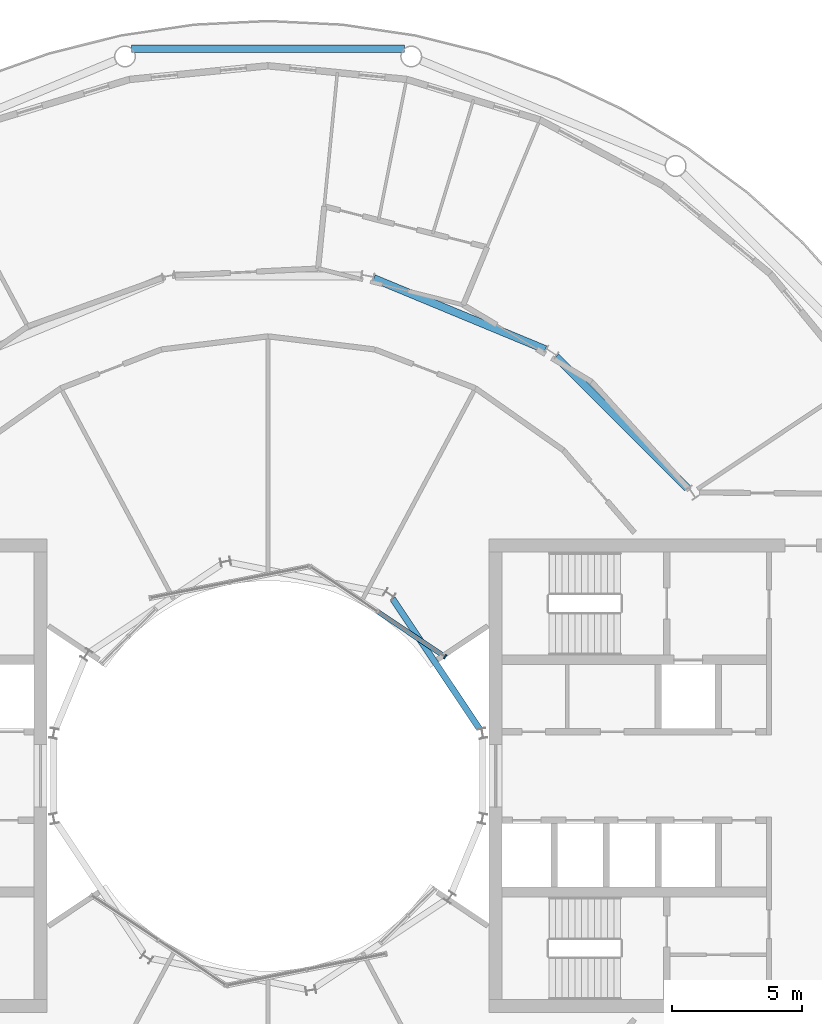
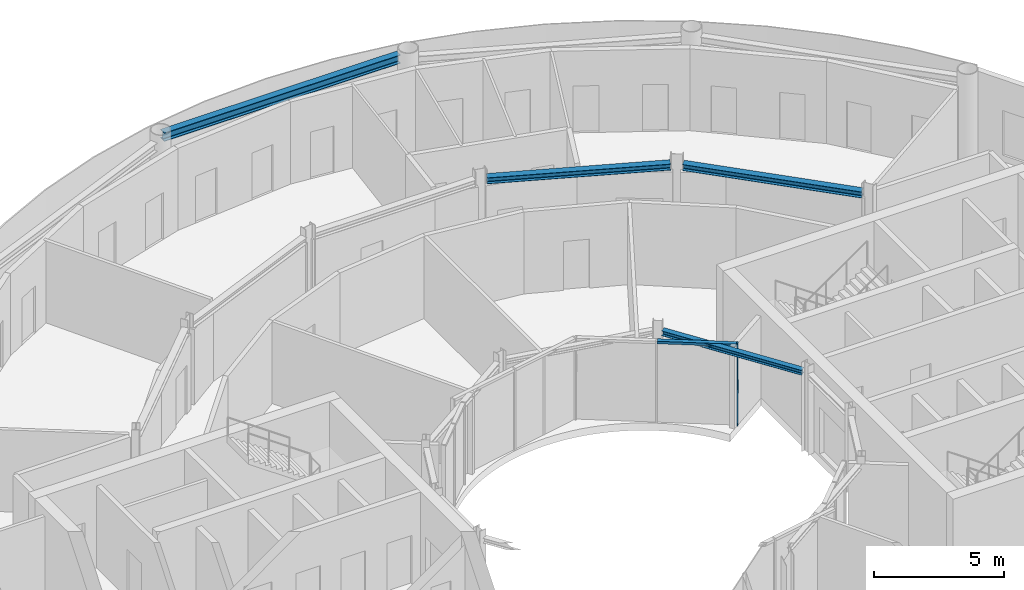
# One storey, part 9 of 21: 4 beams, 2 members, 1 element without a shape of its own.
"""IFC4 building model written with IfcOpenShell, lengths in metres."""

from ifc_helpers import new_model, si_unit, direction, frame, origin, origin_2d, place, context, subcontext, project, spatial, rectangle, i_section, extrude, material, layer, layer_set, material_profile, profile_set, type_object, element, aggregate, save


model = new_model("IFC4")

# Units and contexts
model_context = context("Model", 3, precision=1e-05, world=origin(), true_north=direction((0.0, 1.0)))
body_context = subcontext(model_context, "Body", "Model", "MODEL_VIEW")
ifc_project = project(units=[si_unit("LENGTHUNIT", "METRE"), si_unit("AREAUNIT", "SQUARE_METRE"), si_unit("VOLUMEUNIT", "CUBIC_METRE"), si_unit("PLANEANGLEUNIT", "RADIAN"), si_unit("MASSUNIT", "GRAM", prefix="KILO")], contexts=[model_context])

# Site, building, storey
site_placement = place(None, origin())
site = spatial("IfcSite", under=ifc_project, at=site_placement, CompositionType="ELEMENT")
building_placement = place(site_placement, origin())
building = spatial("IfcBuilding", under=site, at=building_placement, Name="Maasbend Ring Residences", CompositionType="ELEMENT")
storey_placement = place(building_placement, frame((0.0, 0.0, 157.39990234375)))
storey = spatial("IfcBuildingStorey", under=building, at=storey_placement, Name="L45", CompositionType="ELEMENT", Elevation=157.39990234375)

# Curtain wall, members
ifc_material_1 = material(Name="Aluminium and clear glass", Category="aluminium")
ifc_layer = layer(ifc_material_1, 0.179931640625)
ifc_layer_set = layer_set([ifc_layer], Name="CW-W")
curtain_wall_type = type_object("IfcCurtainWallType", Name="CW-W", PredefinedType="NOTDEFINED", material=ifc_layer_set)
curtain_wall_placement = place(storey_placement, origin())
curtain_wall = element("IfcCurtainWall", 1, at=curtain_wall_placement, inside=storey, type_object=curtain_wall_type, Name="Well curtain wall N1", PredefinedType="NOTDEFINED")
ifc_material_2 = material(Name="Aluminium 6063-T6", Category="aluminium")
ifc_material_profile_1 = material_profile(ifc_material_2, rectangle(XDim=0.179931640625, YDim=0.06005859375, at=origin_2d()), Name="AL 180x60")
ifc_profile_set_1 = profile_set([ifc_material_profile_1], Name="Aluminium 6063-T6")
member_type_1 = type_object("IfcMemberType", Name="CWM-W", PredefinedType="MULLION", material=ifc_profile_set_1)
member_1_placement = place(storey_placement, frame((6.805908203125, 4.580810546875, 0.0), z_axis=(0.0, 0.0, 1.0), x_axis=(-0.55557023302, -0.831469612303, 0.0)))
member_1 = element("IfcMember", 2, at=member_1_placement, type_object=member_type_1, Name="Mullion well face", PredefinedType="MULLION", context=body_context, shape_type="SweptSolid", body=[
    extrude(rectangle(XDim=0.179931640625, YDim=0.06005859375, at=origin_2d()), origin(), (0.0, 0.0, 1.0), 3.85009765625),
])
ifc_material_3 = material(Name="Aluminium 6063-T6", Category="aluminium")
ifc_material_profile_2 = material_profile(ifc_material_3, rectangle(XDim=0.179931640625, YDim=0.1201171875, at=origin_2d()), Name="AL 180x120")
ifc_profile_set_2 = profile_set([ifc_material_profile_2], Name="Aluminium 6063-T6")
member_type_2 = type_object("IfcMemberType", Name="CWT-W", PredefinedType="USERDEFINED", material=ifc_profile_set_2)
member_2_placement = place(storey_placement, frame((6.781005859375, 4.59765625, 3.7900390625), z_axis=(-0.831496422459, 0.555530106689, 0.0), x_axis=(-0.555530106689, -0.831496422459, 0.0)))
member_2 = element("IfcMember", 3, at=member_2_placement, type_object=member_type_2, Name="Transom well face", ObjectType="TRANSOM", PredefinedType="USERDEFINED", context=body_context, shape_type="SweptSolid", body=[
    extrude(rectangle(XDim=0.179931640625, YDim=0.1201171875, at=origin_2d()), origin(), (0.0, 0.0, 1.0), 3.053955078125),
])
aggregate(curtain_wall, [member_1, member_2])

# Beams
ifc_material_4 = material(Name="Steel S355J2", Category="steel")
ifc_material_profile_3 = material_profile(ifc_material_4, i_section(OverallWidth=0.300048828125, OverallDepth=0.2900390625, WebThickness=0.008544921875, FlangeThickness=0.013916015625, FilletRadius=0.027099609375, at=origin_2d()), Name="HEA 300")
ifc_profile_set_3 = profile_set([ifc_material_profile_3], Name="Steel S355J2")
beam_type_1 = type_object("IfcBeamType", Name="Corridor ring beam HEA 300", PredefinedType="BEAM", material=ifc_profile_set_3)
for number, where, z_axis, x_axis, name in (
    (4, (16.11669921875, 11.0693359375, 3.705078125), (-0.707106781187, 0.707106781187, 0.0), (-0.707106781187, -0.707106781187, 0.0), "Corridor ring beam"),
    (5, (10.65380859375, 16.394287109375, 3.705078125), (-0.923871339849, 0.382703210602, 0.0), (-0.382703210602, -0.923871339849, 0.0), "Corridor ring beam"),
):
    element("IfcBeam", number, at=place(storey_placement, frame(where, z_axis=z_axis, x_axis=x_axis)), inside=storey, type_object=beam_type_1, Name=name, PredefinedType="BEAM", context=body_context, shape_type="SweptSolid", body=[
        extrude(i_section(OverallWidth=0.300048828125, OverallDepth=0.2900390625, WebThickness=0.008544921875, FlangeThickness=0.013916015625, FilletRadius=0.027099609375, at=origin_2d()), origin(), (0.0, 0.0, 1.0), 7.137939453125),
    ])
ifc_material_5 = material(Name="Steel S355J2", Category="steel")
ifc_material_profile_4 = material_profile(ifc_material_5, i_section(OverallWidth=0.300048828125, OverallDepth=0.39990234375, WebThickness=0.013427734375, FlangeThickness=0.02392578125, FilletRadius=0.027099609375, at=origin_2d()), Name="HEB 400")
ifc_profile_set_4 = profile_set([ifc_material_profile_4], Name="Steel S355J2")
beam_type_2 = type_object("IfcBeamType", Name="Spandrel ring beam HEB 400", PredefinedType="SPANDREL", material=ifc_profile_set_4)
beam_1_placement = place(storey_placement, frame((5.2451171875, 27.9580078125, 3.650146484375), z_axis=(-1.0, 0.0, 0.0), x_axis=(0.0, -1.0, 0.0)))
element("IfcBeam", 6, at=beam_1_placement, inside=storey, type_object=beam_type_2, Name="Spandrel ring beam", PredefinedType="SPANDREL", context=body_context, shape_type="SweptSolid", body=[
    extrude(i_section(OverallWidth=0.300048828125, OverallDepth=0.39990234375, WebThickness=0.013427734375, FlangeThickness=0.02392578125, FilletRadius=0.027099609375, at=origin_2d()), origin(), (0.0, 0.0, 1.0), 10.490234375),
])
ifc_material_6 = material(Name="Steel S355J2", Category="steel")
ifc_material_profile_5 = material_profile(ifc_material_6, i_section(OverallWidth=0.239990234375, OverallDepth=0.22998046875, WebThickness=0.007568359375, FlangeThickness=0.011962890625, FilletRadius=0.02099609375, at=origin_2d()), Name="HEA 240")
ifc_profile_set_5 = profile_set([ifc_material_profile_5], Name="Steel S355J2")
beam_type_3 = type_object("IfcBeamType", Name="Well edge beam HEA 240", PredefinedType="BEAM", material=ifc_profile_set_5)
beam_2_placement = place(storey_placement, frame((8.121337890625, 1.814208984375, 3.735107421875), z_axis=(-0.555553413909, 0.831480850227, 0.0), x_axis=(-0.831480850227, -0.555553413909, 0.0)))
element("IfcBeam", 7, at=beam_2_placement, inside=storey, type_object=beam_type_3, Name="Well edge beam", PredefinedType="BEAM", context=body_context, shape_type="SweptSolid", body=[
    extrude(i_section(OverallWidth=0.239990234375, OverallDepth=0.22998046875, WebThickness=0.007568359375, FlangeThickness=0.011962890625, FilletRadius=0.02099609375, at=origin_2d()), origin(), (0.0, 0.0, 1.0), 6.0068359375),
])

save(model, "model.ifc")
